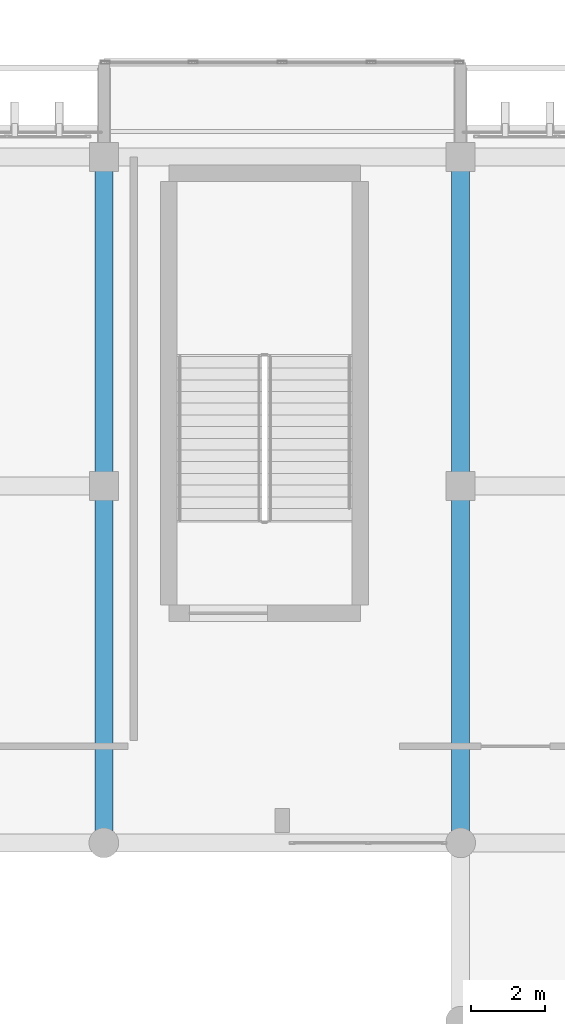
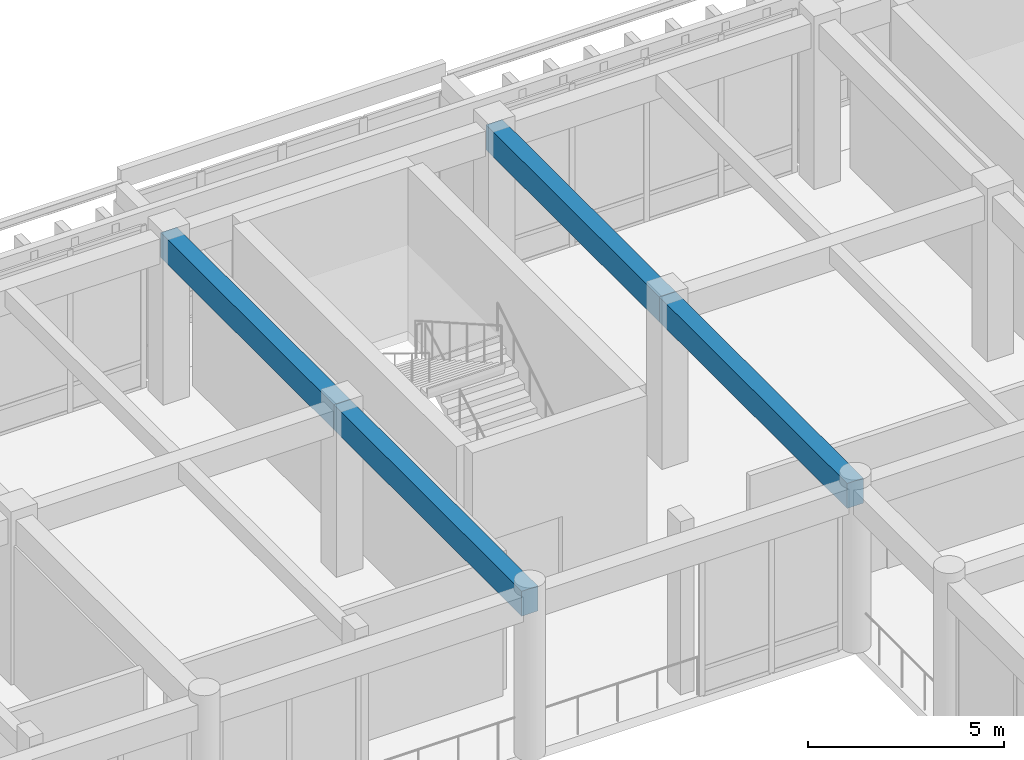
# One storey, part 48 of 134: 4 beams.
"""IFC4 building model written with IfcOpenShell, lengths in metres."""

from ifc_helpers import new_model, si_unit, direction, frame, origin, origin_2d, place, context, subcontext, project, spatial, rectangle, extrude, material, material_profile, profile_set, type_object, element, save


model = new_model("IFC4")

# Units and contexts
model_context = context("Model", 3, precision=1e-05, world=origin(), true_north=direction((0.0, 1.0)))
body_context = subcontext(model_context, "Body", "Model", "MODEL_VIEW")
ifc_project = project(units=[si_unit("LENGTHUNIT", "METRE"), si_unit("AREAUNIT", "SQUARE_METRE"), si_unit("VOLUMEUNIT", "CUBIC_METRE"), si_unit("PLANEANGLEUNIT", "RADIAN"), si_unit("MASSUNIT", "GRAM", prefix="KILO")], contexts=[model_context])

# Site, building, storey
site_placement = place(None, origin())
site = spatial("IfcSite", under=ifc_project, at=site_placement, CompositionType="ELEMENT")
building_placement = place(site_placement, origin())
building = spatial("IfcBuilding", under=site, at=building_placement, Name="Nakhvara Creek Congress Hotel", CompositionType="ELEMENT")
storey_placement = place(building_placement, frame((0.0, 0.0, 6.0)))
storey = spatial("IfcBuildingStorey", under=building, at=storey_placement, Name="L01", CompositionType="ELEMENT", Elevation=6.0)

# Beams
ifc_material = material(Name="Concrete C40/50", Category="concrete")
ifc_material_profile = material_profile(ifc_material, rectangle(XDim=0.47998046875, YDim=0.780029296875, at=origin_2d()), Name="RC-BM 480x780", Category="LoadBearing")
ifc_profile_set = profile_set([ifc_material_profile], Name="Concrete C40/50")
beam_type = type_object("IfcBeamType", Name="BM-RC-480X780", PredefinedType="BEAM", material=ifc_profile_set)
beam_1_placement = place(storey_placement, frame((115.199951171875, 76.800048828125, 4.7099609375), z_axis=(0.0, 1.0, 0.0), x_axis=(-1.0, 0.0, 0.0)))
element("IfcBeam", 1, at=beam_1_placement, inside=storey, type_object=beam_type, Name="Beam B13-L01-1213", PredefinedType="BEAM", context=body_context, shape_type="SweptSolid", body=[
    extrude(rectangle(XDim=0.47998046875, YDim=0.780029296875, at=origin_2d()), origin(), (0.0, 0.0, 1.0), 9.599853515625),
])
beam_2_placement = place(storey_placement, frame((115.199951171875, 86.39990234375, 4.7099609375), z_axis=(0.0, 1.0, 0.0), x_axis=(-1.0, 0.0, 0.0)))
element("IfcBeam", 2, at=beam_2_placement, inside=storey, type_object=beam_type, Name="Beam B13-L01-1215", PredefinedType="BEAM", context=body_context, shape_type="SweptSolid", body=[
    extrude(rectangle(XDim=0.47998046875, YDim=0.780029296875, at=origin_2d()), origin(), (0.0, 0.0, 1.0), 8.85009765625),
])
beam_3_placement = place(storey_placement, frame((124.800048828125, 76.800048828125, 4.7099609375), z_axis=(0.0, 1.0, 0.0), x_axis=(-1.0, 0.0, 0.0)))
element("IfcBeam", 3, at=beam_3_placement, inside=storey, type_object=beam_type, Name="Beam B13-L01-1233", PredefinedType="BEAM", context=body_context, shape_type="SweptSolid", body=[
    extrude(rectangle(XDim=0.47998046875, YDim=0.780029296875, at=origin_2d()), origin(), (0.0, 0.0, 1.0), 9.599853515625),
])
beam_4_placement = place(storey_placement, frame((124.800048828125, 86.39990234375, 4.7099609375), z_axis=(0.0, 1.0, 0.0), x_axis=(-1.0, 0.0, 0.0)))
element("IfcBeam", 4, at=beam_4_placement, inside=storey, type_object=beam_type, Name="Beam B13-L01-1235", PredefinedType="BEAM", context=body_context, shape_type="SweptSolid", body=[
    extrude(rectangle(XDim=0.47998046875, YDim=0.780029296875, at=origin_2d()), origin(), (0.0, 0.0, 1.0), 8.85009765625),
])

save(model, "model.ifc")
